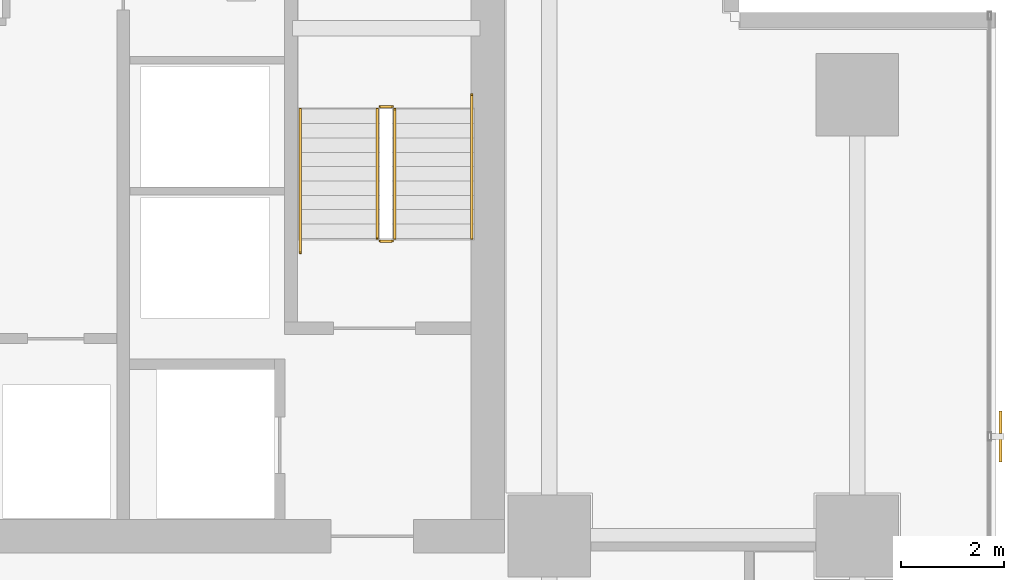
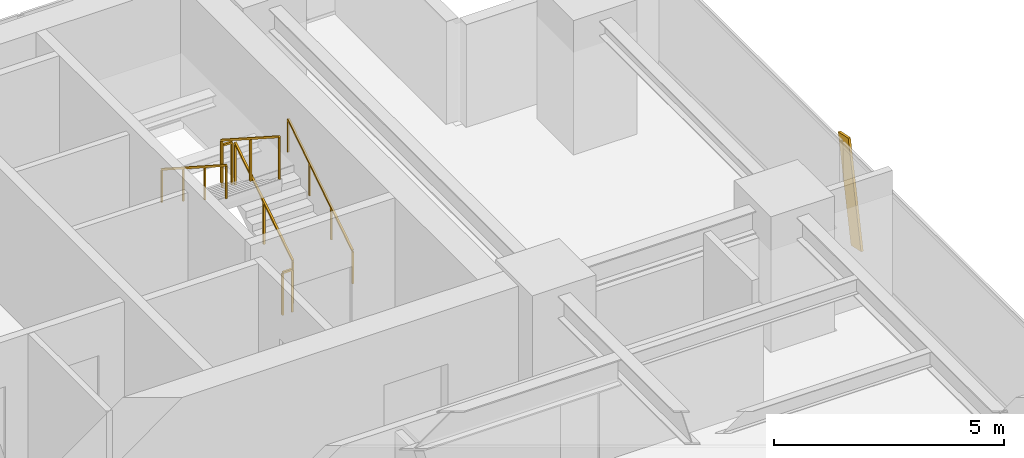
# One storey, part 36 of 37: 6 railings, 1 shading device.
"""IFC4 building model written with IfcOpenShell, lengths in metres."""

from ifc_helpers import new_model, si_unit, direction, frame, origin, origin_2d, place, context, subcontext, project, spatial, rectangle, extrude, source, transform, mapped, material, material_profile, profile_set, type_object, element, save


model = new_model("IFC4")

# Units and contexts
model_context = context("Model", 3, precision=1e-05, world=origin(), true_north=direction((0.0, 1.0)))
body_context = subcontext(model_context, "Body", "Model", "MODEL_VIEW")
ifc_project = project(units=[si_unit("LENGTHUNIT", "METRE"), si_unit("AREAUNIT", "SQUARE_METRE"), si_unit("VOLUMEUNIT", "CUBIC_METRE"), si_unit("PLANEANGLEUNIT", "RADIAN"), si_unit("MASSUNIT", "GRAM", prefix="KILO")], contexts=[model_context])

# Site, building, storey
site_placement = place(None, origin())
site = spatial("IfcSite", under=ifc_project, at=site_placement, CompositionType="ELEMENT")
building_placement = place(site_placement, origin())
building = spatial("IfcBuilding", under=site, at=building_placement, Name="Sumidabori Civic Tower", CompositionType="ELEMENT")
storey_placement = place(building_placement, frame((0.0, 0.0, 117.199951171875)))
storey = spatial("IfcBuildingStorey", under=building, at=storey_placement, Name="L30", CompositionType="ELEMENT", Elevation=117.199951171875)

# Railings
ifc_material_1 = material(Name="Stainless Steel Hairline Finish", Category="steel")
railing_type_1 = type_object("IfcRailingType", Name="RL-HANDRAIL", PredefinedType="HANDRAIL", material=ifc_material_1)
railing_1_placement = place(storey_placement, frame((15.2900390625, 16.0, 0.179931640625)))
element("IfcRailing", 1, at=railing_1_placement, inside=storey, type_object=railing_type_1, Name="L30 ST-2 stair handrail 1", PredefinedType="HANDRAIL", context=body_context, shape_type="SweptSolid", body=[
    extrude(rectangle(XDim=0.048095703125, YDim=0.048095703125, at=origin_2d()), frame((0.0, 0.0, 0.8759765625), z_axis=(0.0, 0.84064222762, 0.54159084662), x_axis=(-1.0, 0.0, 0.0)), (0.0, 0.0, 1.0), 3.330810546875),
    extrude(rectangle(XDim=0.0419921875, YDim=0.0419921875, at=origin_2d()), origin(), (0.0, 0.0, 1.0), 0.851806640625),
    extrude(rectangle(XDim=0.0419921875, YDim=0.0419921875, at=origin_2d()), frame((0.0, 0.933349609375, 0.601318359375)), (0.0, 0.0, 1.0), 0.851806640625),
    extrude(rectangle(XDim=0.0419921875, YDim=0.0419921875, at=origin_2d()), frame((0.0, 1.86669921875, 1.20263671875)), (0.0, 0.0, 1.0), 0.851806640625),
    extrude(rectangle(XDim=0.0419921875, YDim=0.0419921875, at=origin_2d()), frame((0.0, 2.800048828125, 1.803955078125)), (0.0, 0.0, 1.0), 0.851806640625),
])
railing_2_placement = place(storey_placement, frame((11.949951171875, 18.52001953125, 1.97998046875)))
element("IfcRailing", 2, at=railing_2_placement, inside=storey, type_object=railing_type_1, Name="L30 ST-2 stair handrail 2", PredefinedType="HANDRAIL", context=body_context, shape_type="SweptSolid", body=[
    extrude(rectangle(XDim=0.048095703125, YDim=0.048095703125, at=origin_2d()), frame((0.0, 0.0, 0.8759765625), z_axis=(0.0, -0.84064222762, 0.54159084662), x_axis=(1.0, 0.0, 0.0)), (0.0, 0.0, 1.0), 3.330810546875),
    extrude(rectangle(XDim=0.0419921875, YDim=0.0419921875, at=origin_2d()), origin(), (0.0, 0.0, 1.0), 0.851806640625),
    extrude(rectangle(XDim=0.0419921875, YDim=0.0419921875, at=origin_2d()), frame((0.0, -0.933349609375, 0.601318359375)), (0.0, 0.0, 1.0), 0.851806640625),
    extrude(rectangle(XDim=0.0419921875, YDim=0.0419921875, at=origin_2d()), frame((0.0, -1.86669921875, 1.20263671875)), (0.0, 0.0, 1.0), 0.851806640625),
    extrude(rectangle(XDim=0.0419921875, YDim=0.0419921875, at=origin_2d()), frame((0.0, -2.800048828125, 1.803955078125)), (0.0, 0.0, 1.0), 0.851806640625),
])
ifc_material_2 = material(Name="Steel SN490", Category="steel")
railing_type_2 = type_object("IfcRailingType", Name="RL-STAIR-GUARD", PredefinedType="GUARDRAIL", material=ifc_material_2)
railing_3_placement = place(storey_placement, frame((13.7900390625, 16.0, 0.179931640625)))
element("IfcRailing", 3, at=railing_3_placement, inside=storey, type_object=railing_type_2, Name="L30 ST-2 stair guard 1", PredefinedType="GUARDRAIL", context=body_context, shape_type="SweptSolid", body=[
    extrude(rectangle(XDim=0.048095703125, YDim=0.048095703125, at=origin_2d()), frame((0.0, 0.0, 1.1259765625), z_axis=(0.0, 0.841162588446, 0.540782303519), x_axis=(-1.0, 0.0, 0.0)), (0.0, 0.0, 1.0), 2.995849609375),
    extrude(rectangle(XDim=0.0419921875, YDim=0.0419921875, at=origin_2d()), origin(), (0.0, 0.0, 1.0), 1.101806640625),
    extrude(rectangle(XDim=0.0419921875, YDim=0.0419921875, at=origin_2d()), frame((0.0, 1.260009765625, 0.81005859375)), (0.0, 0.0, 1.0), 1.101806640625),
    extrude(rectangle(XDim=0.0419921875, YDim=0.0419921875, at=origin_2d()), frame((0.0, 2.52001953125, 1.6201171875)), (0.0, 0.0, 1.0), 1.101806640625),
])
railing_4_placement = place(storey_placement, frame((13.739990234375, 18.570068359375, 1.800048828125)))
element("IfcRailing", 4, at=railing_4_placement, inside=storey, type_object=railing_type_2, Name="L30 ST-2 stair guard 2", PredefinedType="GUARDRAIL", context=body_context, shape_type="SweptSolid", body=[
    extrude(rectangle(XDim=0.048095703125, YDim=0.048095703125, at=origin_2d()), frame((0.0, 0.0, 1.1259765625), z_axis=(-1.0, 0.0, 0.0), x_axis=(0.0, -1.0, 0.0)), (0.0, 0.0, 1.0), 0.239990234375),
    extrude(rectangle(XDim=0.0419921875, YDim=0.0419921875, at=origin_2d()), origin(), (0.0, 0.0, 1.0), 1.101806640625),
    extrude(rectangle(XDim=0.0419921875, YDim=0.0419921875, at=origin_2d()), frame((-0.239990234375, 0.0, 0.0)), (0.0, 0.0, 1.0), 1.101806640625),
])
railing_5_placement = place(storey_placement, frame((13.449951171875, 18.52001953125, 1.97998046875)))
element("IfcRailing", 5, at=railing_5_placement, inside=storey, type_object=railing_type_2, Name="L30 ST-2 stair guard 3", PredefinedType="GUARDRAIL", context=body_context, shape_type="SweptSolid", body=[
    extrude(rectangle(XDim=0.048095703125, YDim=0.048095703125, at=origin_2d()), frame((0.0, 0.0, 1.1259765625), z_axis=(0.0, -0.841162588446, 0.540782303519), x_axis=(1.0, 0.0, 0.0)), (0.0, 0.0, 1.0), 2.995849609375),
    extrude(rectangle(XDim=0.0419921875, YDim=0.0419921875, at=origin_2d()), origin(), (0.0, 0.0, 1.0), 1.101806640625),
    extrude(rectangle(XDim=0.0419921875, YDim=0.0419921875, at=origin_2d()), frame((0.0, -1.260009765625, 0.81005859375)), (0.0, 0.0, 1.0), 1.101806640625),
    extrude(rectangle(XDim=0.0419921875, YDim=0.0419921875, at=origin_2d()), frame((0.0, -2.52001953125, 1.6201171875)), (0.0, 0.0, 1.0), 1.101806640625),
])
railing_6_placement = place(storey_placement, frame((13.739990234375, 15.949951171875, 0.0)))
element("IfcRailing", 6, at=railing_6_placement, inside=storey, type_object=railing_type_2, Name="L30 ST-2 stair guard 4", PredefinedType="GUARDRAIL", context=body_context, shape_type="SweptSolid", body=[
    extrude(rectangle(XDim=0.048095703125, YDim=0.048095703125, at=origin_2d()), frame((0.0, 0.0, 1.1259765625), z_axis=(-1.0, 0.0, 0.0), x_axis=(0.0, -1.0, 0.0)), (0.0, 0.0, 1.0), 0.239990234375),
    extrude(rectangle(XDim=0.0419921875, YDim=0.0419921875, at=origin_2d()), origin(), (0.0, 0.0, 1.0), 1.101806640625),
    extrude(rectangle(XDim=0.0419921875, YDim=0.0419921875, at=origin_2d()), frame((-0.239990234375, 0.0, 0.0)), (0.0, 0.0, 1.0), 1.101806640625),
])

# Shading device
ifc_material_3 = material(Name="Anodised Bronze Aluminium AW-6063-T6", Category="aluminium")
ifc_material_profile = material_profile(ifc_material_3, rectangle(XDim=0.06005859375, YDim=0.449951171875, at=origin_2d()), Name="BRONZE FIN 450x60")
ifc_profile_set = profile_set([ifc_material_profile], Name="Anodised Bronze Aluminium AW-6063-T6")
shading_device_type = type_object("IfcShadingDeviceType", Name="SH-FIN-450", PredefinedType="USERDEFINED", material=ifc_profile_set)
shared_shape = source(origin(), body_context, "Body", "SweptSolid", [
    extrude(rectangle(XDim=0.06005859375, YDim=0.449951171875, at=origin_2d()), origin(), (0.0, 0.0, 1.0), 2.73779296875),
])
shading_device_placement = place(storey_placement, frame((25.590087890625, 11.862060546875, 0.02001953125), z_axis=(0.0, 0.204563143937, 0.978853370093), x_axis=(-1.0, 0.0, 0.0)))
element("IfcShadingDevice", 7, at=shading_device_placement, inside=storey, type_object=shading_device_type, Name="Bronze Anodised Diagonal Fin L30-04", ObjectType="FIN", PredefinedType="USERDEFINED", context=body_context, shape_type="MappedRepresentation", body=[
    mapped(shared_shape, transform((0.0, 0.0, 0.0), x_axis=(1.0, 0.0, 0.0), y_axis=(0.0, 1.0, 0.0), z_axis=(0.0, 0.0, 1.0), scale=1.0)),
])

save(model, "model.ifc")
